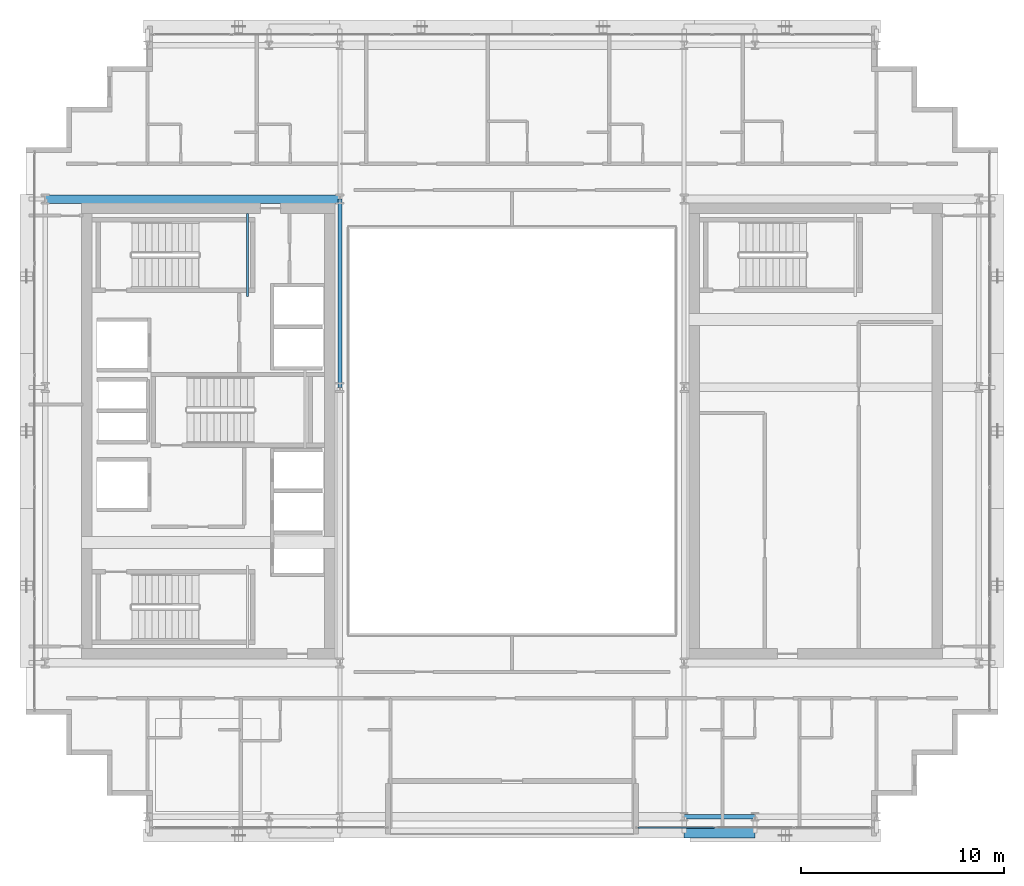
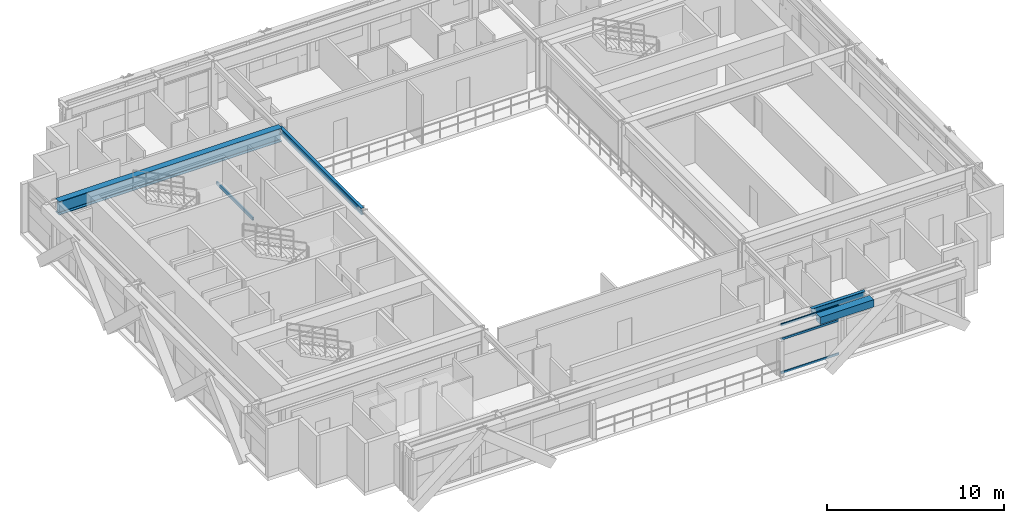
# One storey, part 9 of 31: 5 beams, 3 members, 1 element without a shape of its own.
"""IFC4 building model written with IfcOpenShell, lengths in metres."""

from ifc_helpers import new_model, si_unit, direction, frame, origin, origin_2d, place, context, subcontext, project, spatial, hollow_rectangle, i_section, extrude, source, transform, mapped, material, layer, layer_set, material_profile, profile_set, type_object, element, aggregate, save


model = new_model("IFC4")

# Units and contexts
model_context = context("Model", 3, precision=1e-05, world=origin(), true_north=direction((0.0, 1.0)))
body_context = subcontext(model_context, "Body", "Model", "MODEL_VIEW")
ifc_project = project(units=[si_unit("LENGTHUNIT", "METRE"), si_unit("AREAUNIT", "SQUARE_METRE"), si_unit("VOLUMEUNIT", "CUBIC_METRE"), si_unit("PLANEANGLEUNIT", "RADIAN"), si_unit("MASSUNIT", "GRAM", prefix="KILO")], contexts=[model_context])

# Site, building, storey
site_placement = place(None, origin())
site = spatial("IfcSite", under=ifc_project, at=site_placement, CompositionType="ELEMENT")
building_placement = place(site_placement, origin())
building = spatial("IfcBuilding", under=site, at=building_placement, Name="Ocotamira Hotel", CompositionType="ELEMENT")
storey_placement = place(building_placement, frame((0.0, 0.0, 202.800048828125)))
storey = spatial("IfcBuildingStorey", under=building, at=storey_placement, Name="L51", CompositionType="ELEMENT", Elevation=202.800048828125)

# Beams
ifc_material_1 = material(Name="Steel ASTM A500 Grade C", Category="steel")
ifc_material_profile_1 = material_profile(ifc_material_1, hollow_rectangle(XDim=0.10009765625, YDim=0.199951171875, WallThickness=0.008056640625, at=origin_2d()), Name="HSS200X100X8")
ifc_profile_set_1 = profile_set([ifc_material_profile_1], Name="Steel ASTM A500 Grade C")
beam_type_1 = type_object("IfcBeamType", Name="BM-STLDG-HSS200", PredefinedType="BEAM", material=ifc_profile_set_1)
shared_shape_1 = source(origin(), body_context, "Body", "SweptSolid", [
    extrude(hollow_rectangle(XDim=0.10009765625, YDim=0.199951171875, WallThickness=0.008056640625, at=origin_2d()), origin(), (0.0, 0.0, 1.0), 4.1201171875),
])
beam_1_placement = place(storey_placement, frame((18.949951171875, 32.6298828125, 1.5), z_axis=(0.0, 1.0, 0.0), x_axis=(-1.0, 0.0, 0.0)))
element("IfcBeam", 1, at=beam_1_placement, inside=storey, type_object=beam_type_1, Name="L51 Stair ST-2 Landing Bearer 1", PredefinedType="BEAM", context=body_context, shape_type="MappedRepresentation", body=[
    mapped(shared_shape_1, transform((0.0, 0.0, 0.0), scale=1.0)),
])
ifc_material_2 = material(Name="Steel ASTM A992 Grade 50", Category="steel")
ifc_material_profile_2 = material_profile(ifc_material_2, i_section(OverallWidth=0.41796875, OverallDepth=0.927001953125, WebThickness=0.019287109375, FlangeThickness=0.031982421875, FilletRadius=0.02392578125, at=origin_2d()), Name="W36X231")
ifc_profile_set_2 = profile_set([ifc_material_profile_2], Name="Steel ASTM A992 Grade 50")
beam_type_2 = type_object("IfcBeamType", Name="BM-GIRD-W36X231", PredefinedType="BEAM", material=ifc_profile_set_2)
shared_shape_2 = source(origin(), body_context, "Body", "SweptSolid", [
    extrude(i_section(OverallWidth=0.41796875, OverallDepth=0.927001953125, WebThickness=0.019287109375, FlangeThickness=0.031982421875, FilletRadius=0.02392578125, at=origin_2d()), origin(), (0.0, 0.0, 1.0), 14.550048828125),
])
beam_2_placement = place(storey_placement, frame((8.949951171875, 37.449951171875, 2.906494140625), z_axis=(1.0, 0.0, 0.0), x_axis=(0.0, 1.0, 0.0)))
element("IfcBeam", 2, at=beam_2_placement, inside=storey, type_object=beam_type_2, Name="L51 Girder Y37.45 X8.95-23.5", PredefinedType="BEAM", context=body_context, shape_type="MappedRepresentation", body=[
    mapped(shared_shape_2, transform((0.0, 0.0, 0.0), scale=1.0)),
])
ifc_material_profile_3 = material_profile(ifc_material_2, i_section(OverallWidth=0.2099609375, OverallDepth=0.537109375, WebThickness=0.010986328125, FlangeThickness=0.017333984375, FilletRadius=0.012939453125, at=origin_2d()), Name="W21X68")
ifc_profile_set_3 = profile_set([ifc_material_profile_3], Name="Steel ASTM A992 Grade 50")
beam_type_3 = type_object("IfcBeamType", Name="BM-SEC-W21X68", PredefinedType="JOIST", material=ifc_profile_set_3)
shared_shape_3 = source(origin(), body_context, "Body", "SweptSolid", [
    extrude(i_section(OverallWidth=0.2099609375, OverallDepth=0.537109375, WebThickness=0.010986328125, FlangeThickness=0.017333984375, FilletRadius=0.012939453125, at=origin_2d()), origin(), (0.0, 0.0, 1.0), 3.5),
])
beam_3_placement = place(storey_placement, frame((40.5, 6.949951171875, 3.1015625), z_axis=(1.0, 0.0, 0.0), x_axis=(0.0, 1.0, 0.0)))
element("IfcBeam", 3, at=beam_3_placement, inside=storey, type_object=beam_type_3, Name="L51 Girder Y6.95 X40.5-44", PredefinedType="JOIST", context=body_context, shape_type="MappedRepresentation", body=[
    mapped(shared_shape_3, transform((0.0, 0.0, 0.0), scale=1.0)),
])
ifc_material_profile_4 = material_profile(ifc_material_2, i_section(OverallWidth=0.18994140625, OverallDepth=0.45703125, WebThickness=0.009033203125, FlangeThickness=0.014404296875, FilletRadius=0.010009765625, at=origin_2d()), Name="W18X50")
ifc_profile_set_4 = profile_set([ifc_material_profile_4], Name="Steel ASTM A992 Grade 50")
beam_type_4 = type_object("IfcBeamType", Name="BM-SEC-W18X50", PredefinedType="JOIST", material=ifc_profile_set_4)
shared_shape_4 = source(origin(), body_context, "Body", "SweptSolid", [
    extrude(i_section(OverallWidth=0.18994140625, OverallDepth=0.45703125, WebThickness=0.009033203125, FlangeThickness=0.014404296875, FilletRadius=0.010009765625, at=origin_2d()), origin(), (0.0, 0.0, 1.0), 9.300048828125),
])
beam_4_placement = place(storey_placement, frame((23.5, 28.14990234375, 3.141357421875), z_axis=(0.0, 1.0, 0.0), x_axis=(-1.0, 0.0, 0.0)))
element("IfcBeam", 4, at=beam_4_placement, inside=storey, type_object=beam_type_4, Name="L51 Beam X23.5 Y28.15-37.45", PredefinedType="JOIST", context=body_context, shape_type="MappedRepresentation", body=[
    mapped(shared_shape_4, transform((0.0, 0.0, 0.0), scale=1.0)),
])
ifc_material_profile_5 = material_profile(ifc_material_1, hollow_rectangle(XDim=0.5, YDim=0.5, WallThickness=0.02001953125, at=origin_2d()), Name="HSS500X500X20")
ifc_profile_set_5 = profile_set([ifc_material_profile_5], Name="Steel ASTM A500 Grade C")
beam_type_5 = type_object("IfcBeamType", Name="BM-SPAN-HSS500", PredefinedType="USERDEFINED", material=ifc_profile_set_5)
shared_shape_5 = source(origin(), body_context, "Body", "SweptSolid", [
    extrude(hollow_rectangle(XDim=0.5, YDim=0.5, WallThickness=0.02001953125, at=origin_2d()), origin(), (0.0, 0.0, 1.0), 3.5),
])
beam_5_placement = place(storey_placement, frame((40.5, 6.14990234375, 3.119873046875), z_axis=(1.0, 0.0, 0.0), x_axis=(0.0, 1.0, 0.0)))
element("IfcBeam", 5, at=beam_5_placement, inside=storey, type_object=beam_type_5, Name="L51 Edge Spandrel S X40.5-44", ObjectType="SPANDREL", PredefinedType="USERDEFINED", context=body_context, shape_type="MappedRepresentation", body=[
    mapped(shared_shape_5, transform((0.0, 0.0, 0.0), scale=1.0)),
])

# Curtain wall, members
ifc_material_3 = material(Name="Anodised pale-metal aluminium and solar glass", Category="aluminium")
ifc_layer = layer(ifc_material_3, 0.199951171875)
ifc_layer_set = layer_set([ifc_layer], Name="Anodised pale-metal aluminium and solar glass")
curtain_wall_type = type_object("IfcCurtainWallType", Name="CW-SYS4-Z3", PredefinedType="NOTDEFINED", material=ifc_layer_set)
curtain_wall_placement = place(storey_placement, origin())
curtain_wall = element("IfcCurtainWall", 6, at=curtain_wall_placement, inside=storey, type_object=curtain_wall_type, Name="L51 Curtain Wall CW-4 CW-L51-S2", PredefinedType="NOTDEFINED")
ifc_material_4 = material(Name="Anodised pale-metal aluminium 6063-T6", Category="aluminium")
ifc_material_profile_6 = material_profile(ifc_material_4, hollow_rectangle(XDim=0.074951171875, YDim=0.14990234375, WallThickness=0.006103515625, at=origin_2d()), Name="HSS150X75X6")
ifc_profile_set_6 = profile_set([ifc_material_profile_6], Name="Anodised pale-metal aluminium 6063-T6")
member_type = type_object("IfcMemberType", Name="CWT-150X75", PredefinedType="USERDEFINED", material=ifc_profile_set_6)
shared_shape_6 = source(origin(), body_context, "Body", "SweptSolid", [
    extrude(hollow_rectangle(XDim=0.074951171875, YDim=0.14990234375, WallThickness=0.006103515625, at=origin_2d()), origin(), (0.0, 0.0, 1.0), 3.763427734375),
])
member_1_placement = place(storey_placement, frame((38.22998046875, 6.419921875, 0.037353515625), z_axis=(1.0, 0.0, 0.0), x_axis=(0.0, 1.0, 0.0)))
member_1 = element("IfcMember", 7, at=member_1_placement, type_object=member_type, Name="CW-4 transom 1.1", ObjectType="TRANSOM", PredefinedType="USERDEFINED", context=body_context, shape_type="MappedRepresentation", body=[
    mapped(shared_shape_6, transform((0.0, 0.0, 0.0), scale=1.0)),
])
member_2_placement = place(storey_placement, frame((38.22998046875, 6.419921875, 2.349853515625), z_axis=(1.0, 0.0, 0.0), x_axis=(0.0, 1.0, 0.0)))
member_2 = element("IfcMember", 8, at=member_2_placement, type_object=member_type, Name="CW-4 transom 1.2", ObjectType="TRANSOM", PredefinedType="USERDEFINED", context=body_context, shape_type="MappedRepresentation", body=[
    mapped(shared_shape_6, transform((0.0, 0.0, 0.0), scale=1.0)),
])
member_3_placement = place(storey_placement, frame((38.22998046875, 6.419921875, 3.33251953125), z_axis=(1.0, 0.0, 0.0), x_axis=(0.0, 1.0, 0.0)))
member_3 = element("IfcMember", 9, at=member_3_placement, type_object=member_type, Name="CW-4 transom 1.3", ObjectType="TRANSOM", PredefinedType="USERDEFINED", context=body_context, shape_type="MappedRepresentation", body=[
    mapped(shared_shape_6, transform((0.0, 0.0, 0.0), scale=1.0)),
])
aggregate(curtain_wall, [member_1, member_2, member_3])

save(model, "model.ifc")
